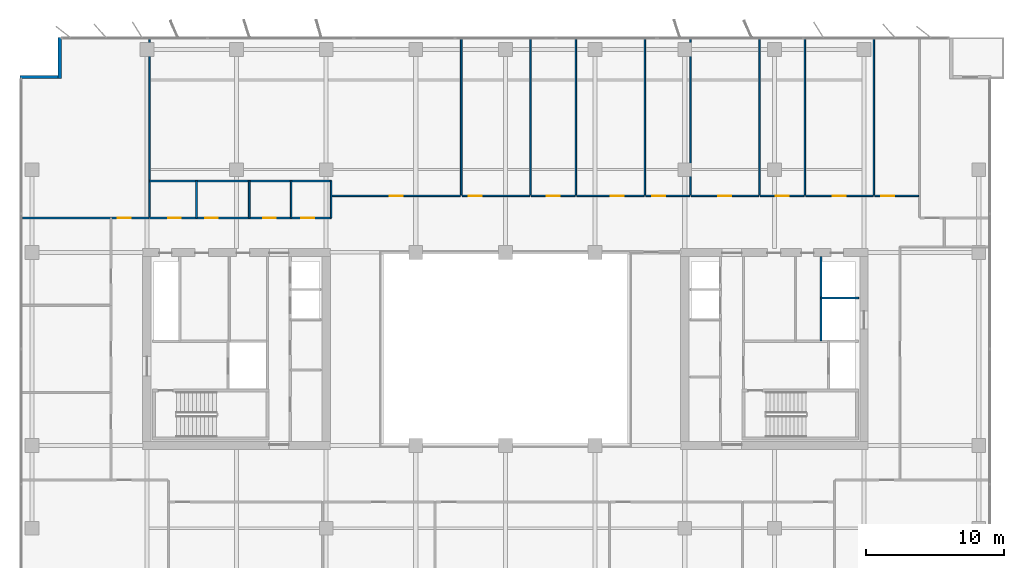
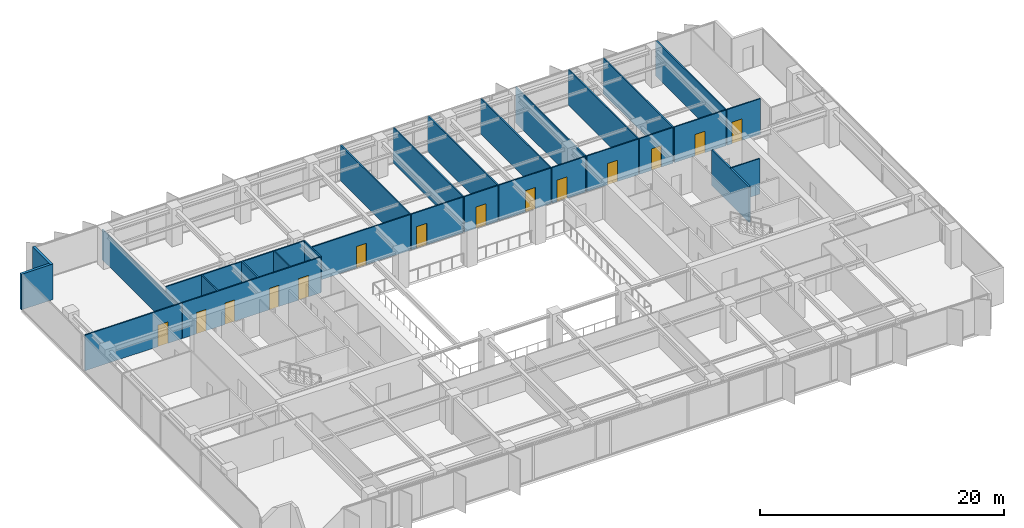
# One storey, part 17 of 22: 29 walls, 14 doors, 14 openings.
"""IFC4 building model written with IfcOpenShell, lengths in metres."""

from ifc_helpers import new_model, si_unit, direction, frame, frame_2d, origin, place, context, subcontext, project, spatial, rectangle, extrude, material, layer, layer_set, type_object, element, fill, save


model = new_model("IFC4")

# Units and contexts
model_context = context("Model", 3, precision=1e-05, world=origin(), true_north=direction((0.0, 1.0)))
body_context = subcontext(model_context, "Body", "Model", "MODEL_VIEW")
ifc_project = project(units=[si_unit("LENGTHUNIT", "METRE"), si_unit("AREAUNIT", "SQUARE_METRE"), si_unit("VOLUMEUNIT", "CUBIC_METRE"), si_unit("PLANEANGLEUNIT", "RADIAN"), si_unit("MASSUNIT", "GRAM", prefix="KILO")], contexts=[model_context])

# Site, building, storey
site_placement = place(None, origin())
site = spatial("IfcSite", under=ifc_project, at=site_placement, CompositionType="ELEMENT")
building_placement = place(site_placement, origin())
building = spatial("IfcBuilding", under=site, at=building_placement, Name="Putna Gate Headquarters", CompositionType="ELEMENT")
storey_placement = place(building_placement, frame((0.0, 0.0, 189.800048828125)))
storey = spatial("IfcBuildingStorey", under=building, at=storey_placement, Name="L47", CompositionType="ELEMENT", Elevation=189.800048828125)

# Walls
ifc_material_1 = material(Name="Precast concrete C40/50", Category="concrete")
ifc_layer_1 = layer(ifc_material_1, 0.239990234375)
ifc_layer_set_1 = layer_set([ifc_layer_1], Name="Precast concrete C40/50")
wall_type_1 = type_object("IfcWallType", Name="WALL-EXT-TERR-240", PredefinedType="STANDARD", material=ifc_layer_set_1)
for number, where, z_axis, x_axis, name in (
    (1, (6.679931640625, 45.60009765625, 0.0), (0.0, 0.0, 1.0), (0.0, 1.0, 0.0), "L47 Corner Notch Return Wall NW-V"),
    (2, (3.800048828125, 45.719970703125, 0.0), (0.0, 0.0, 1.0), (1.0, 0.0, 0.0), "L47 Corner Notch Return Wall NW-H"),
):
    element("IfcWall", number, at=place(storey_placement, frame(where, z_axis=z_axis, x_axis=x_axis)), inside=storey, type_object=wall_type_1, Name=name, PredefinedType="STANDARD", context=body_context, shape_type="SweptSolid", body=[
        extrude(rectangle(XDim=3.0, YDim=0.239990234375, at=frame_2d((1.5, 0.0))), origin(), (0.0, 0.0, 1.0), 3.572021484375),
    ])
ifc_material_2 = material(Name="Acoustic gypsum board on metal stud")
ifc_layer_2 = layer(ifc_material_2, 0.1201171875)
ifc_layer_set_2 = layer_set([ifc_layer_2], Name="Acoustic gypsum board on metal stud")
wall_type_2 = type_object("IfcWallType", Name="WALL-PART-120", PredefinedType="PARTITIONING", material=ifc_layer_set_2)
wall_1_placement = place(storey_placement, frame((13.199951171875, 35.56005859375, 0.0), z_axis=(0.0, 0.0, 1.0), x_axis=(0.0, 1.0, 0.0)))
element("IfcWall", 3, at=wall_1_placement, inside=storey, type_object=wall_type_2, Name="L47 Interior Wall PART-L47-NB-DIV-01", PredefinedType="PARTITIONING", context=body_context, shape_type="SweptSolid", body=[
    extrude(rectangle(XDim=13.02001953125, YDim=0.1201171875, at=frame_2d((6.510009765625, 0.0))), origin(), (0.0, 0.0, 1.0), 3.02197265625),
])
for number, where, z_axis, x_axis, name in (
    (4, (35.800048828125, 37.159912109375, 0.0), (0.0, 0.0, 1.0), (0.0, 1.0, 0.0), "L47 Interior Wall PART-L47-NB-DIV-02"),
    (5, (40.806396484375, 37.159912109375, 0.0), (0.0, 0.0, 1.0), (0.0, 1.0, 0.0), "L47 Interior Wall PART-L47-NB-DIV-03"),
    (6, (44.103515625, 37.159912109375, 0.0), (0.0, 0.0, 1.0), (0.0, 1.0, 0.0), "L47 Interior Wall PART-L47-NB-DIV-04"),
    (7, (49.10986328125, 37.159912109375, 0.0), (0.0, 0.0, 1.0), (0.0, 1.0, 0.0), "L47 Interior Wall PART-L47-NB-DIV-05"),
    (8, (52.40673828125, 37.159912109375, 0.0), (0.0, 0.0, 1.0), (0.0, 1.0, 0.0), "L47 Interior Wall PART-L47-NB-DIV-06"),
    (9, (57.4130859375, 37.159912109375, 0.0), (0.0, 0.0, 1.0), (0.0, 1.0, 0.0), "L47 Interior Wall PART-L47-NB-DIV-07"),
    (10, (60.710205078125, 37.159912109375, 0.0), (0.0, 0.0, 1.0), (0.0, 1.0, 0.0), "L47 Interior Wall PART-L47-NB-DIV-08"),
    (11, (65.716552734375, 37.159912109375, 0.0), (0.0, 0.0, 1.0), (0.0, 1.0, 0.0), "L47 Interior Wall PART-L47-NB-DIV-09"),
):
    element("IfcWall", number, at=place(storey_placement, frame(where, z_axis=z_axis, x_axis=x_axis)), inside=storey, type_object=wall_type_2, Name=name, PredefinedType="PARTITIONING", context=body_context, shape_type="SweptSolid", body=[
        extrude(rectangle(XDim=11.420166015625, YDim=0.1201171875, at=frame_2d((5.7099609375, 0.0))), origin(), (0.0, 0.0, 1.0), 3.572021484375),
    ])
ifc_material_3 = material(Name="Fire-rated shaftwall gypsum board on metal stud")
ifc_layer_3 = layer(ifc_material_3, 0.1201171875)
ifc_layer_set_3 = layer_set([ifc_layer_3], Name="Fire-rated shaftwall gypsum board on metal stud")
wall_type_3 = type_object("IfcWallType", Name="WALL-PART-120-EI120", PredefinedType="PARTITIONING", material=ifc_layer_set_3)
wall_2_placement = place(storey_placement, frame((61.8701171875, 29.699951171875, 0.0), z_axis=(0.0, 0.0, 1.0), x_axis=(1.0, 0.0, 0.0)))
element("IfcWall", 12, at=wall_2_placement, inside=storey, type_object=wall_type_3, Name="L47 Interior Wall CWINT-L47-EC-LF15-N", PredefinedType="PARTITIONING", context=body_context, shape_type="SweptSolid", body=[
    extrude(rectangle(XDim=2.72998046875, YDim=0.1201171875, at=frame_2d((1.364990234375, 0.0))), origin(), (0.0, 0.0, 1.0), 3.572021484375),
])

# Wall, openings, doors
ifc_material_4 = material(Name="Fire-rated gypsum board on metal stud")
ifc_layer_4 = layer(ifc_material_4, 0.1201171875)
ifc_layer_set_4 = layer_set([ifc_layer_4], Name="Fire-rated gypsum board on metal stud")
wall_type_4 = type_object("IfcWallType", Name="WALL-PART-120-RATED", PredefinedType="PARTITIONING", material=ifc_layer_set_4)
wall_3_placement = place(storey_placement, frame((13.199951171875, 35.5, 0.0), z_axis=(0.0, 0.0, 1.0), x_axis=(1.0, 0.0, 0.0)))
wall_3 = element("IfcWall", 13, at=wall_3_placement, inside=storey, type_object=wall_type_4, Name="L47 Interior Wall PART-L47-SAN-CW", PredefinedType="PARTITIONING", context=body_context, shape_type="SweptSolid", body=[
    extrude(rectangle(XDim=13.16015625, YDim=0.1201171875, at=frame_2d((6.580078125, 0.0))), origin(), (0.0, 0.0, 1.0), 3.572021484375),
])
opening_1_placement = place(wall_3_placement, frame((1.35009765625, 0.0, 0.0)))
opening_1 = element("IfcOpeningElement", 14, at=opening_1_placement, cuts=wall_3, Name="Opening FD-90", PredefinedType="OPENING", context=body_context, shape_type="SweptSolid", body=[
    extrude(rectangle(XDim=0.89990234375, YDim=2.14990234375, at=frame_2d((0.449951171875, 1.074951171875))), frame((0.0, 0.070068359375, 0.0), z_axis=(0.0, -1.0, 0.0), x_axis=(1.0, 0.0, 0.0)), (0.0, 0.0, 1.0), 0.14013671875),
])
opening_2_placement = place(wall_3_placement, frame((4.050048828125, 0.0, 0.0)))
opening_2 = element("IfcOpeningElement", 15, at=opening_2_placement, cuts=wall_3, Name="Opening FD-90", PredefinedType="OPENING", context=body_context, shape_type="SweptSolid", body=[
    extrude(rectangle(XDim=0.89990234375, YDim=2.14990234375, at=frame_2d((0.449951171875, 1.074951171875))), frame((0.0, 0.070068359375, 0.0), z_axis=(0.0, -1.0, 0.0), x_axis=(1.0, 0.0, 0.0)), (0.0, 0.0, 1.0), 0.14013671875),
])
opening_3_placement = place(wall_3_placement, frame((8.25, 0.0, 0.0)))
opening_3 = element("IfcOpeningElement", 16, at=opening_3_placement, cuts=wall_3, Name="Opening FD-90", PredefinedType="OPENING", context=body_context, shape_type="SweptSolid", body=[
    extrude(rectangle(XDim=0.89990234375, YDim=2.14990234375, at=frame_2d((0.449951171875, 1.074951171875))), frame((0.0, 0.070068359375, 0.0), z_axis=(0.0, -1.0, 0.0), x_axis=(1.0, 0.0, 0.0)), (0.0, 0.0, 1.0), 0.14013671875),
])
opening_4_placement = place(wall_3_placement, frame((11.0, 0.0, 0.0)))
opening_4 = element("IfcOpeningElement", 17, at=opening_4_placement, cuts=wall_3, Name="Opening FD-95", PredefinedType="OPENING", context=body_context, shape_type="SweptSolid", body=[
    extrude(rectangle(XDim=0.949951171875, YDim=2.14990234375, at=frame_2d((0.47509765625, 1.074951171875))), frame((0.0, 0.070068359375, 0.0), z_axis=(0.0, -1.0, 0.0), x_axis=(1.0, 0.0, 0.0)), (0.0, 0.0, 1.0), 0.14013671875),
])
ifc_material_5 = material(Name="Acoustic washroom fire door")
door_type_1 = type_object("IfcDoorType", Name="DOOR-FIRE-900", OperationType="NOTDEFINED", PredefinedType="DOOR", material=ifc_material_5)
door_1_placement = place(opening_1_placement, origin())
door_1 = element("IfcDoor", 18, at=door_1_placement, inside=storey, type_object=door_type_1, Name="L47 Washroom Male Door", OperationType="SINGLE_SWING_RIGHT", OverallHeight=2.14990234375, OverallWidth=0.89990234375, PredefinedType="DOOR", context=body_context, shape_type="SweptSolid", body=[
    extrude(rectangle(XDim=0.89990234375, YDim=2.14990234375, at=frame_2d((0.449951171875, 1.074951171875))), frame((0.0, 0.02490234375, 0.0), z_axis=(0.0, -1.0, 0.0), x_axis=(1.0, 0.0, 0.0)), (0.0, 0.0, 1.0), 0.050048828125),
])
fill(opening_1, door_1)
door_2_placement = place(opening_2_placement, origin())
door_2 = element("IfcDoor", 19, at=door_2_placement, inside=storey, type_object=door_type_1, Name="L47 Washroom Female Door", OperationType="SINGLE_SWING_LEFT", OverallHeight=2.14990234375, OverallWidth=0.89990234375, PredefinedType="DOOR", context=body_context, shape_type="SweptSolid", body=[
    extrude(rectangle(XDim=0.89990234375, YDim=2.14990234375, at=frame_2d((0.449951171875, 1.074951171875))), frame((0.0, 0.02490234375, 0.0), z_axis=(0.0, -1.0, 0.0), x_axis=(1.0, 0.0, 0.0)), (0.0, 0.0, 1.0), 0.050048828125),
])
fill(opening_2, door_2)
door_3_placement = place(opening_3_placement, origin())
door_3 = element("IfcDoor", 20, at=door_3_placement, inside=storey, type_object=door_type_1, Name="L47 Accessible WC Door", OperationType="SINGLE_SWING_RIGHT", OverallHeight=2.14990234375, OverallWidth=0.89990234375, PredefinedType="DOOR", context=body_context, shape_type="SweptSolid", body=[
    extrude(rectangle(XDim=0.89990234375, YDim=2.14990234375, at=frame_2d((0.449951171875, 1.074951171875))), frame((0.0, 0.02490234375, 0.0), z_axis=(0.0, -1.0, 0.0), x_axis=(1.0, 0.0, 0.0)), (0.0, 0.0, 1.0), 0.050048828125),
])
fill(opening_3, door_3)
ifc_material_6 = material(Name="Acoustic timber fire door", Category="wood")
door_type_2 = type_object("IfcDoorType", Name="DOOR-FIRE-950", OperationType="NOTDEFINED", PredefinedType="DOOR", material=ifc_material_6)
door_4_placement = place(opening_4_placement, origin())
door_4 = element("IfcDoor", 21, at=door_4_placement, inside=storey, type_object=door_type_2, Name="L47 Staff Pantry and Tea Point Door", OperationType="SINGLE_SWING_LEFT", OverallHeight=2.14990234375, OverallWidth=0.949951171875, PredefinedType="DOOR", context=body_context, shape_type="SweptSolid", body=[
    extrude(rectangle(XDim=0.949951171875, YDim=2.14990234375, at=frame_2d((0.47509765625, 1.074951171875))), frame((0.0, 0.02490234375, 0.0), z_axis=(0.0, -1.0, 0.0), x_axis=(1.0, 0.0, 0.0)), (0.0, 0.0, 1.0), 0.050048828125),
])
fill(opening_4, door_4)

# Walls
wall_4_placement = place(storey_placement, frame((13.199951171875, 38.179931640625, 0.0), z_axis=(0.0, 0.0, 1.0), x_axis=(1.0, 0.0, 0.0)))
element("IfcWall", 22, at=wall_4_placement, inside=storey, type_object=wall_type_4, Name="L47 Interior Wall PART-L47-SAN-BACK", PredefinedType="PARTITIONING", context=body_context, shape_type="SweptSolid", body=[
    extrude(rectangle(XDim=13.16015625, YDim=0.1201171875, at=frame_2d((6.580078125, 0.0))), origin(), (0.0, 0.0, 1.0), 3.572021484375),
])
for number, where, z_axis, x_axis, name in (
    (23, (16.60009765625, 35.5, 0.0), (0.0, 0.0, 1.0), (0.0, 1.0, 0.0), "L47 Interior Wall PART-L47-SAN-DIV-1"),
    (24, (20.419921875, 35.5, 0.0), (0.0, 0.0, 1.0), (0.0, 1.0, 0.0), "L47 Interior Wall PART-L47-SAN-DIV-2"),
    (25, (23.4599609375, 35.5, 0.0), (0.0, 0.0, 1.0), (0.0, 1.0, 0.0), "L47 Interior Wall PART-L47-SAN-DIV-3"),
    (26, (26.360107421875, 35.5, 0.0), (0.0, 0.0, 1.0), (0.0, 1.0, 0.0), "L47 Interior Wall PART-L47-SAN-DIV-4"),
):
    element("IfcWall", number, at=place(storey_placement, frame(where, z_axis=z_axis, x_axis=x_axis)), inside=storey, type_object=wall_type_4, Name=name, PredefinedType="PARTITIONING", context=body_context, shape_type="SweptSolid", body=[
        extrude(rectangle(XDim=2.679931640625, YDim=0.1201171875, at=frame_2d((1.33984375, 0.0))), origin(), (0.0, 0.0, 1.0), 3.572021484375),
    ])

# Wall, opening, door
wall_5_placement = place(storey_placement, frame((3.97998046875, 35.5, 0.0), z_axis=(0.0, 0.0, 1.0), x_axis=(1.0, 0.0, 0.0)))
wall_5 = element("IfcWall", 27, at=wall_5_placement, inside=storey, type_object=wall_type_4, Name="L47 Interior Wall PART-L47-NB-CW-01", PredefinedType="PARTITIONING", context=body_context, shape_type="SweptSolid", body=[
    extrude(rectangle(XDim=9.159912109375, YDim=0.1201171875, at=frame_2d((4.580078125, 0.0))), origin(), (0.0, 0.0, 1.0), 3.572021484375),
])
opening_5_placement = place(wall_5_placement, frame((6.89990234375, 0.0, 0.0)))
opening_5 = element("IfcOpeningElement", 28, at=opening_5_placement, cuts=wall_5, Name="Opening FD-95", PredefinedType="OPENING", context=body_context, shape_type="SweptSolid", body=[
    extrude(rectangle(XDim=0.949951171875, YDim=2.14990234375, at=frame_2d((0.47509765625, 1.074951171875))), frame((0.0, 0.070068359375, 0.0), z_axis=(0.0, -1.0, 0.0), x_axis=(1.0, 0.0, 0.0)), (0.0, 0.0, 1.0), 0.14013671875),
])
door_5_placement = place(opening_5_placement, origin())
door_5 = element("IfcDoor", 29, at=door_5_placement, inside=storey, type_object=door_type_2, Name="L47 Conference Meeting Room 3 Door", OperationType="SINGLE_SWING_RIGHT", OverallHeight=2.14990234375, OverallWidth=0.949951171875, PredefinedType="DOOR", context=body_context, shape_type="SweptSolid", body=[
    extrude(rectangle(XDim=0.949951171875, YDim=2.14990234375, at=frame_2d((0.47509765625, 1.074951171875))), frame((0.0, 0.02490234375, 0.0), z_axis=(0.0, -1.0, 0.0), x_axis=(1.0, 0.0, 0.0)), (0.0, 0.0, 1.0), 0.050048828125),
])
fill(opening_5, door_5)

wall_6_placement = place(storey_placement, frame((26.419921875, 37.10009765625, 0.0), z_axis=(0.0, 0.0, 1.0), x_axis=(1.0, 0.0, 0.0)))
wall_6 = element("IfcWall", 30, at=wall_6_placement, inside=storey, type_object=wall_type_4, Name="L47 Interior Wall PART-L47-NB-CW-02", PredefinedType="PARTITIONING", context=body_context, shape_type="SweptSolid", body=[
    extrude(rectangle(XDim=9.320068359375, YDim=0.1201171875, at=frame_2d((4.66015625, 0.0))), origin(), (0.0, 0.0, 1.0), 3.572021484375),
])
opening_6_placement = place(wall_6_placement, frame((4.18505859375, 0.0, 0.0)))
opening_6 = element("IfcOpeningElement", 31, at=opening_6_placement, cuts=wall_6, Name="Opening FD-95", PredefinedType="OPENING", context=body_context, shape_type="SweptSolid", body=[
    extrude(rectangle(XDim=0.949951171875, YDim=2.14990234375, at=frame_2d((0.47509765625, 1.074951171875))), frame((0.0, 0.070068359375, 0.0), z_axis=(0.0, -1.0, 0.0), x_axis=(1.0, 0.0, 0.0)), (0.0, 0.0, 1.0), 0.14013671875),
])
door_6_placement = place(opening_6_placement, origin())
door_6 = element("IfcDoor", 32, at=door_6_placement, inside=storey, type_object=door_type_2, Name="L47 Primary Open Office Workplace Door", OperationType="SINGLE_SWING_LEFT", OverallHeight=2.14990234375, OverallWidth=0.949951171875, PredefinedType="DOOR", context=body_context, shape_type="SweptSolid", body=[
    extrude(rectangle(XDim=0.949951171875, YDim=2.14990234375, at=frame_2d((0.47509765625, 1.074951171875))), frame((0.0, 0.02490234375, 0.0), z_axis=(0.0, -1.0, 0.0), x_axis=(1.0, 0.0, 0.0)), (0.0, 0.0, 1.0), 0.050048828125),
])
fill(opening_6, door_6)

wall_7_placement = place(storey_placement, frame((35.860107421875, 37.10009765625, 0.0), z_axis=(0.0, 0.0, 1.0), x_axis=(1.0, 0.0, 0.0)))
wall_7 = element("IfcWall", 33, at=wall_7_placement, inside=storey, type_object=wall_type_4, Name="L47 Interior Wall PART-L47-NB-CW-03", PredefinedType="PARTITIONING", context=body_context, shape_type="SweptSolid", body=[
    extrude(rectangle(XDim=4.886474609375, YDim=0.1201171875, at=frame_2d((2.443359375, 0.0))), origin(), (0.0, 0.0, 1.0), 3.572021484375),
])
opening_7_placement = place(wall_7_placement, frame((0.47998046875, 0.0, 0.0)))
opening_7 = element("IfcOpeningElement", 34, at=opening_7_placement, cuts=wall_7, Name="Opening FD-95", PredefinedType="OPENING", context=body_context, shape_type="SweptSolid", body=[
    extrude(rectangle(XDim=0.949951171875, YDim=2.14990234375, at=frame_2d((0.47509765625, 1.074951171875))), frame((0.0, 0.070068359375, 0.0), z_axis=(0.0, -1.0, 0.0), x_axis=(1.0, 0.0, 0.0)), (0.0, 0.0, 1.0), 0.14013671875),
])
door_7_placement = place(opening_7_placement, origin())
door_7 = element("IfcDoor", 35, at=door_7_placement, inside=storey, type_object=door_type_2, Name="L47 Collaborative Breakout Lounge 1 Door", OperationType="SINGLE_SWING_RIGHT", OverallHeight=2.14990234375, OverallWidth=0.949951171875, PredefinedType="DOOR", context=body_context, shape_type="SweptSolid", body=[
    extrude(rectangle(XDim=0.949951171875, YDim=2.14990234375, at=frame_2d((0.47509765625, 1.074951171875))), frame((0.0, 0.02490234375, 0.0), z_axis=(0.0, -1.0, 0.0), x_axis=(1.0, 0.0, 0.0)), (0.0, 0.0, 1.0), 0.050048828125),
])
fill(opening_7, door_7)

wall_8_placement = place(storey_placement, frame((40.866455078125, 37.10009765625, 0.0), z_axis=(0.0, 0.0, 1.0), x_axis=(1.0, 0.0, 0.0)))
wall_8 = element("IfcWall", 36, at=wall_8_placement, inside=storey, type_object=wall_type_4, Name="L47 Interior Wall PART-L47-NB-CW-04", PredefinedType="PARTITIONING", context=body_context, shape_type="SweptSolid", body=[
    extrude(rectangle(XDim=3.177001953125, YDim=0.1201171875, at=frame_2d((1.58837890625, 0.0))), origin(), (0.0, 0.0, 1.0), 3.572021484375),
])
opening_8_placement = place(wall_8_placement, frame((1.11328125, 0.0, 0.0)))
opening_8 = element("IfcOpeningElement", 37, at=opening_8_placement, cuts=wall_8, Name="Opening FD-95", PredefinedType="OPENING", context=body_context, shape_type="SweptSolid", body=[
    extrude(rectangle(XDim=0.949951171875, YDim=2.14990234375, at=frame_2d((0.47509765625, 1.074951171875))), frame((0.0, 0.070068359375, 0.0), z_axis=(0.0, -1.0, 0.0), x_axis=(1.0, 0.0, 0.0)), (0.0, 0.0, 1.0), 0.14013671875),
])
door_8_placement = place(opening_8_placement, origin())
door_8 = element("IfcDoor", 38, at=door_8_placement, inside=storey, type_object=door_type_2, Name="L47 Collaborative Breakout Lounge 2 Door", OperationType="SINGLE_SWING_LEFT", OverallHeight=2.14990234375, OverallWidth=0.949951171875, PredefinedType="DOOR", context=body_context, shape_type="SweptSolid", body=[
    extrude(rectangle(XDim=0.949951171875, YDim=2.14990234375, at=frame_2d((0.47509765625, 1.074951171875))), frame((0.0, 0.02490234375, 0.0), z_axis=(0.0, -1.0, 0.0), x_axis=(1.0, 0.0, 0.0)), (0.0, 0.0, 1.0), 0.050048828125),
])
fill(opening_8, door_8)

wall_9_placement = place(storey_placement, frame((44.163330078125, 37.10009765625, 0.0), z_axis=(0.0, 0.0, 1.0), x_axis=(1.0, 0.0, 0.0)))
wall_9 = element("IfcWall", 39, at=wall_9_placement, inside=storey, type_object=wall_type_4, Name="L47 Interior Wall PART-L47-NB-CW-05", PredefinedType="PARTITIONING", context=body_context, shape_type="SweptSolid", body=[
    extrude(rectangle(XDim=4.886474609375, YDim=0.1201171875, at=frame_2d((2.443359375, 0.0))), origin(), (0.0, 0.0, 1.0), 3.572021484375),
])
opening_9_placement = place(wall_9_placement, frame((2.470458984375, 0.0, 0.0)))
opening_9 = element("IfcOpeningElement", 40, at=opening_9_placement, cuts=wall_9, Name="Opening FD-95", PredefinedType="OPENING", context=body_context, shape_type="SweptSolid", body=[
    extrude(rectangle(XDim=0.949951171875, YDim=2.14990234375, at=frame_2d((0.47509765625, 1.074951171875))), frame((0.0, 0.070068359375, 0.0), z_axis=(0.0, -1.0, 0.0), x_axis=(1.0, 0.0, 0.0)), (0.0, 0.0, 1.0), 0.14013671875),
])
door_9_placement = place(opening_9_placement, origin())
door_9 = element("IfcDoor", 41, at=door_9_placement, inside=storey, type_object=door_type_2, Name="L47 Quiet Wellness Focus Studio 1 Door", OperationType="SINGLE_SWING_RIGHT", OverallHeight=2.14990234375, OverallWidth=0.949951171875, PredefinedType="DOOR", context=body_context, shape_type="SweptSolid", body=[
    extrude(rectangle(XDim=0.949951171875, YDim=2.14990234375, at=frame_2d((0.47509765625, 1.074951171875))), frame((0.0, 0.02490234375, 0.0), z_axis=(0.0, -1.0, 0.0), x_axis=(1.0, 0.0, 0.0)), (0.0, 0.0, 1.0), 0.050048828125),
])
fill(opening_9, door_9)

wall_10_placement = place(storey_placement, frame((49.169921875, 37.10009765625, 0.0), z_axis=(0.0, 0.0, 1.0), x_axis=(1.0, 0.0, 0.0)))
wall_10 = element("IfcWall", 42, at=wall_10_placement, inside=storey, type_object=wall_type_4, Name="L47 Interior Wall PART-L47-NB-CW-06", PredefinedType="PARTITIONING", context=body_context, shape_type="SweptSolid", body=[
    extrude(rectangle(XDim=3.1767578125, YDim=0.1201171875, at=frame_2d((1.58837890625, 0.0))), origin(), (0.0, 0.0, 1.0), 3.572021484375),
])
opening_10_placement = place(wall_10_placement, frame((0.47998046875, 0.0, 0.0)))
opening_10 = element("IfcOpeningElement", 43, at=opening_10_placement, cuts=wall_10, Name="Opening FD-95", PredefinedType="OPENING", context=body_context, shape_type="SweptSolid", body=[
    extrude(rectangle(XDim=0.949951171875, YDim=2.14990234375, at=frame_2d((0.47509765625, 1.074951171875))), frame((0.0, 0.070068359375, 0.0), z_axis=(0.0, -1.0, 0.0), x_axis=(1.0, 0.0, 0.0)), (0.0, 0.0, 1.0), 0.14013671875),
])
door_10_placement = place(opening_10_placement, origin())
door_10 = element("IfcDoor", 44, at=door_10_placement, inside=storey, type_object=door_type_2, Name="L47 Quiet Wellness Focus Studio 2 Door", OperationType="SINGLE_SWING_LEFT", OverallHeight=2.14990234375, OverallWidth=0.949951171875, PredefinedType="DOOR", context=body_context, shape_type="SweptSolid", body=[
    extrude(rectangle(XDim=0.949951171875, YDim=2.14990234375, at=frame_2d((0.47509765625, 1.074951171875))), frame((0.0, 0.02490234375, 0.0), z_axis=(0.0, -1.0, 0.0), x_axis=(1.0, 0.0, 0.0)), (0.0, 0.0, 1.0), 0.050048828125),
])
fill(opening_10, door_10)

wall_11_placement = place(storey_placement, frame((52.466796875, 37.10009765625, 0.0), z_axis=(0.0, 0.0, 1.0), x_axis=(1.0, 0.0, 0.0)))
wall_11 = element("IfcWall", 45, at=wall_11_placement, inside=storey, type_object=wall_type_4, Name="L47 Interior Wall PART-L47-NB-CW-07", PredefinedType="PARTITIONING", context=body_context, shape_type="SweptSolid", body=[
    extrude(rectangle(XDim=4.886474609375, YDim=0.1201171875, at=frame_2d((2.443359375, 0.0))), origin(), (0.0, 0.0, 1.0), 3.572021484375),
])
opening_11_placement = place(wall_11_placement, frame((1.96826171875, 0.0, 0.0)))
opening_11 = element("IfcOpeningElement", 46, at=opening_11_placement, cuts=wall_11, Name="Opening FD-95", PredefinedType="OPENING", context=body_context, shape_type="SweptSolid", body=[
    extrude(rectangle(XDim=0.949951171875, YDim=2.14990234375, at=frame_2d((0.47509765625, 1.074951171875))), frame((0.0, 0.070068359375, 0.0), z_axis=(0.0, -1.0, 0.0), x_axis=(1.0, 0.0, 0.0)), (0.0, 0.0, 1.0), 0.14013671875),
])
door_11_placement = place(opening_11_placement, origin())
door_11 = element("IfcDoor", 47, at=door_11_placement, inside=storey, type_object=door_type_2, Name="L47 Quiet Wellness Focus Studio 3 Door", OperationType="SINGLE_SWING_RIGHT", OverallHeight=2.14990234375, OverallWidth=0.949951171875, PredefinedType="DOOR", context=body_context, shape_type="SweptSolid", body=[
    extrude(rectangle(XDim=0.949951171875, YDim=2.14990234375, at=frame_2d((0.47509765625, 1.074951171875))), frame((0.0, 0.02490234375, 0.0), z_axis=(0.0, -1.0, 0.0), x_axis=(1.0, 0.0, 0.0)), (0.0, 0.0, 1.0), 0.050048828125),
])
fill(opening_11, door_11)

wall_12_placement = place(storey_placement, frame((57.47314453125, 37.10009765625, 0.0), z_axis=(0.0, 0.0, 1.0), x_axis=(1.0, 0.0, 0.0)))
wall_12 = element("IfcWall", 48, at=wall_12_placement, inside=storey, type_object=wall_type_4, Name="L47 Interior Wall PART-L47-NB-CW-08", PredefinedType="PARTITIONING", context=body_context, shape_type="SweptSolid", body=[
    extrude(rectangle(XDim=3.177001953125, YDim=0.1201171875, at=frame_2d((1.58837890625, 0.0))), origin(), (0.0, 0.0, 1.0), 3.572021484375),
])
opening_12_placement = place(wall_12_placement, frame((1.113525390625, 0.0, 0.0)))
opening_12 = element("IfcOpeningElement", 49, at=opening_12_placement, cuts=wall_12, Name="Opening FD-95", PredefinedType="OPENING", context=body_context, shape_type="SweptSolid", body=[
    extrude(rectangle(XDim=0.949951171875, YDim=2.14990234375, at=frame_2d((0.47509765625, 1.074951171875))), frame((0.0, 0.070068359375, 0.0), z_axis=(0.0, -1.0, 0.0), x_axis=(1.0, 0.0, 0.0)), (0.0, 0.0, 1.0), 0.14013671875),
])
door_12_placement = place(opening_12_placement, origin())
door_12 = element("IfcDoor", 50, at=door_12_placement, inside=storey, type_object=door_type_2, Name="L47 Cellular Office 1 Door", OperationType="SINGLE_SWING_LEFT", OverallHeight=2.14990234375, OverallWidth=0.949951171875, PredefinedType="DOOR", context=body_context, shape_type="SweptSolid", body=[
    extrude(rectangle(XDim=0.949951171875, YDim=2.14990234375, at=frame_2d((0.47509765625, 1.074951171875))), frame((0.0, 0.02490234375, 0.0), z_axis=(0.0, -1.0, 0.0), x_axis=(1.0, 0.0, 0.0)), (0.0, 0.0, 1.0), 0.050048828125),
])
fill(opening_12, door_12)

wall_13_placement = place(storey_placement, frame((60.770263671875, 37.10009765625, 0.0), z_axis=(0.0, 0.0, 1.0), x_axis=(1.0, 0.0, 0.0)))
wall_13 = element("IfcWall", 51, at=wall_13_placement, inside=storey, type_object=wall_type_4, Name="L47 Interior Wall PART-L47-NB-CW-09", PredefinedType="PARTITIONING", context=body_context, shape_type="SweptSolid", body=[
    extrude(rectangle(XDim=4.88623046875, YDim=0.1201171875, at=frame_2d((2.443115234375, 0.0))), origin(), (0.0, 0.0, 1.0), 3.572021484375),
])
opening_13_placement = place(wall_13_placement, frame((1.96826171875, 0.0, 0.0)))
opening_13 = element("IfcOpeningElement", 52, at=opening_13_placement, cuts=wall_13, Name="Opening FD-95", PredefinedType="OPENING", context=body_context, shape_type="SweptSolid", body=[
    extrude(rectangle(XDim=0.949951171875, YDim=2.14990234375, at=frame_2d((0.47509765625, 1.074951171875))), frame((0.0, 0.070068359375, 0.0), z_axis=(0.0, -1.0, 0.0), x_axis=(1.0, 0.0, 0.0)), (0.0, 0.0, 1.0), 0.14013671875),
])
door_13_placement = place(opening_13_placement, origin())
door_13 = element("IfcDoor", 53, at=door_13_placement, inside=storey, type_object=door_type_2, Name="L47 Cellular Office 2 Door", OperationType="SINGLE_SWING_RIGHT", OverallHeight=2.14990234375, OverallWidth=0.949951171875, PredefinedType="DOOR", context=body_context, shape_type="SweptSolid", body=[
    extrude(rectangle(XDim=0.949951171875, YDim=2.14990234375, at=frame_2d((0.47509765625, 1.074951171875))), frame((0.0, 0.02490234375, 0.0), z_axis=(0.0, -1.0, 0.0), x_axis=(1.0, 0.0, 0.0)), (0.0, 0.0, 1.0), 0.050048828125),
])
fill(opening_13, door_13)

wall_14_placement = place(storey_placement, frame((65.776611328125, 37.10009765625, 0.0), z_axis=(0.0, 0.0, 1.0), x_axis=(1.0, 0.0, 0.0)))
wall_14 = element("IfcWall", 54, at=wall_14_placement, inside=storey, type_object=wall_type_4, Name="L47 Interior Wall PART-L47-NB-CW-10", PredefinedType="PARTITIONING", context=body_context, shape_type="SweptSolid", body=[
    extrude(rectangle(XDim=3.177001953125, YDim=0.1201171875, at=frame_2d((1.58837890625, 0.0))), origin(), (0.0, 0.0, 1.0), 3.572021484375),
])
opening_14_placement = place(wall_14_placement, frame((0.47998046875, 0.0, 0.0)))
opening_14 = element("IfcOpeningElement", 55, at=opening_14_placement, cuts=wall_14, Name="Opening FD-95", PredefinedType="OPENING", context=body_context, shape_type="SweptSolid", body=[
    extrude(rectangle(XDim=0.949951171875, YDim=2.14990234375, at=frame_2d((0.47509765625, 1.074951171875))), frame((0.0, 0.070068359375, 0.0), z_axis=(0.0, -1.0, 0.0), x_axis=(1.0, 0.0, 0.0)), (0.0, 0.0, 1.0), 0.14013671875),
])
door_14_placement = place(opening_14_placement, origin())
door_14 = element("IfcDoor", 56, at=door_14_placement, inside=storey, type_object=door_type_2, Name="L47 Cellular Office 3 Door", OperationType="SINGLE_SWING_LEFT", OverallHeight=2.14990234375, OverallWidth=0.949951171875, PredefinedType="DOOR", context=body_context, shape_type="SweptSolid", body=[
    extrude(rectangle(XDim=0.949951171875, YDim=2.14990234375, at=frame_2d((0.47509765625, 1.074951171875))), frame((0.0, 0.02490234375, 0.0), z_axis=(0.0, -1.0, 0.0), x_axis=(1.0, 0.0, 0.0)), (0.0, 0.0, 1.0), 0.050048828125),
])
fill(opening_14, door_14)

# Wall
ifc_material_7 = material(Name="Concrete C40/50", Category="concrete")
ifc_layer_5 = layer(ifc_material_7, 0.159912109375)
ifc_layer_set_5 = layer_set([ifc_layer_5], Name="Concrete C40/50")
wall_type_5 = type_object("IfcWallType", Name="WALL-SHAFT-160", PredefinedType="STANDARD", material=ifc_layer_set_5)
wall_15_placement = place(storey_placement, frame((61.8701171875, 26.56005859375, 0.0), z_axis=(0.0, 0.0, 1.0), x_axis=(0.0, 1.0, 0.0)))
element("IfcWall", 57, at=wall_15_placement, inside=storey, type_object=wall_type_5, Name="L47 Interior Wall CWINT-L47-EC-LF15-W", PredefinedType="STANDARD", context=body_context, shape_type="SweptSolid", body=[
    extrude(rectangle(XDim=6.139892578125, YDim=0.159912109375, at=frame_2d((3.06982421875, 0.0))), origin(), (0.0, 0.0, 1.0), 3.572021484375),
])

save(model, "model.ifc")
